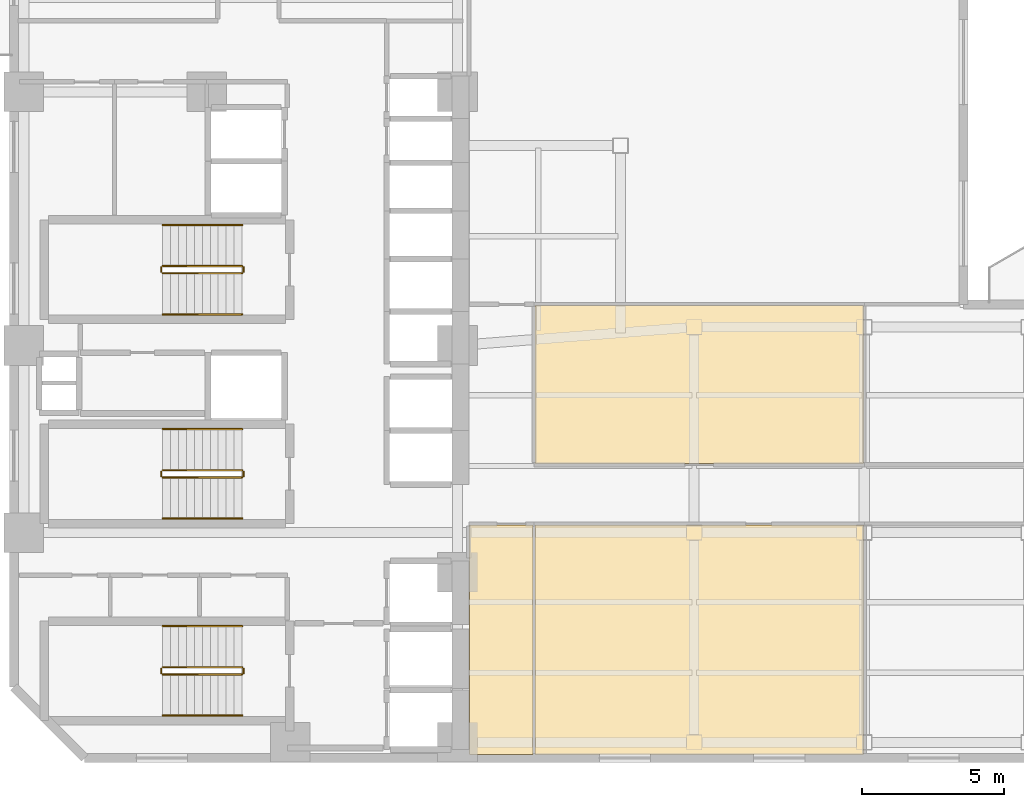
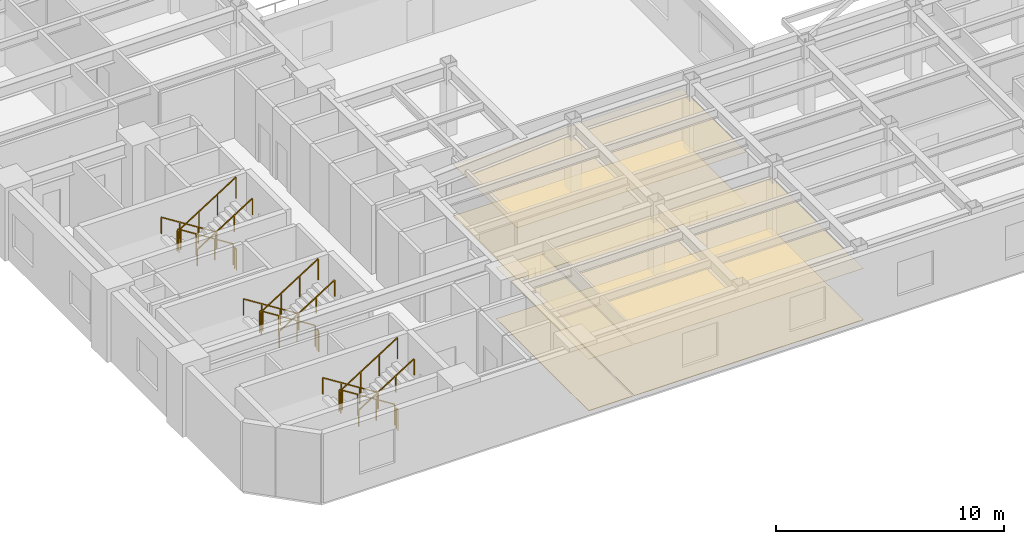
# One storey, part 8 of 10: 18 railings, 6 coverings.
"""IFC4 building model written with IfcOpenShell, lengths in metres."""

from ifc_helpers import new_model, si_unit, direction, frame, origin, origin_2d, place, context, subcontext, project, spatial, polyline, rectangle, outline, extrude, material, layer, layer_set, type_object, element, save


model = new_model("IFC4")

# Units and contexts
model_context = context("Model", 3, precision=1e-05, world=origin(), true_north=direction((0.0, 1.0)))
body_context = subcontext(model_context, "Body", "Model", "MODEL_VIEW")
ifc_project = project(units=[si_unit("LENGTHUNIT", "METRE"), si_unit("AREAUNIT", "SQUARE_METRE"), si_unit("VOLUMEUNIT", "CUBIC_METRE"), si_unit("PLANEANGLEUNIT", "RADIAN"), si_unit("MASSUNIT", "GRAM", prefix="KILO")], contexts=[model_context])

# Site, building, storey
site_placement = place(None, origin())
site = spatial("IfcSite", under=ifc_project, at=site_placement, CompositionType="ELEMENT")
building_placement = place(site_placement, origin())
building = spatial("IfcBuilding", under=site, at=building_placement, Name="Mawjaban Terraces University", CompositionType="ELEMENT")
storey_placement = place(building_placement, frame((0.0, 0.0, 31.0)))
storey = spatial("IfcBuildingStorey", under=building, at=storey_placement, Name="L06", CompositionType="ELEMENT", Elevation=31.0)

# Coverings
ifc_material_1 = material(Name="Acoustic mineral fibre ceiling tile", Category="masonry")
ifc_layer_1 = layer(ifc_material_1, 0.02001953125)
ifc_layer_set_1 = layer_set([ifc_layer_1], Name="Acoustic mineral fibre ceiling tile")
covering_type_1 = type_object("IfcCoveringType", Name="AcousticMineralCeiling_20", PredefinedType="CEILING", material=ifc_layer_set_1)
covering_1_placement = place(storey_placement, frame((0.0, 0.0, 2.75)))
element("IfcCovering", 1, at=covering_1_placement, inside=storey, type_object=covering_type_1, Name="L06 Classroom 1 Acoustic Ceiling", PredefinedType="CEILING", context=body_context, shape_type="SweptSolid", body=[
    extrude(outline(polyline([(38.080078125, 0.114990234375), (40.320068359375, 0.114990234375), (40.320068359375, 8.219970703125), (38.080078125, 8.219970703125), (38.080078125, 0.114990234375)])), origin(), (0.0, 0.0, 1.0), 0.02001953125),
])
covering_2_placement = place(storey_placement, frame((0.0, 0.0, 2.75)))
element("IfcCovering", 2, at=covering_2_placement, inside=storey, type_object=covering_type_1, Name="L06 Seminar Room 2 Acoustic Ceiling", PredefinedType="CEILING", context=body_context, shape_type="SweptSolid", body=[
    extrude(outline(polyline([(40.3798828125, 0.114990234375), (51.969970703125, 0.114990234375), (51.969970703125, 8.219970703125), (40.3798828125, 8.219970703125), (40.3798828125, 0.114990234375)])), origin(), (0.0, 0.0, 1.0), 0.02001953125),
])
covering_3_placement = place(storey_placement, frame((0.0, 0.0, 2.75)))
element("IfcCovering", 3, at=covering_3_placement, inside=storey, type_object=covering_type_1, Name="L06 Classroom 3 Acoustic Ceiling", PredefinedType="CEILING", context=body_context, shape_type="SweptSolid", body=[
    extrude(outline(polyline([(51.969970703125, 10.3798828125), (51.969970703125, 15.969970703125), (40.3798828125, 15.969970703125), (40.3798828125, 10.3798828125), (51.969970703125, 10.3798828125)])), origin(), (0.0, 0.0, 1.0), 0.02001953125),
])

# Railings
ifc_material_2 = material(Name="Brushed stainless steel 316", Category="steel")
railing_type_1 = type_object("IfcRailingType", Name="StairWallHandrail_900", PredefinedType="HANDRAIL", material=ifc_material_2)
railing_1_placement = place(storey_placement, frame((30.050048828125, 4.64990234375, 0.17724609375)))
element("IfcRailing", 4, at=railing_1_placement, inside=storey, type_object=railing_type_1, Name="L06 ST-1 stair handrail 1", PredefinedType="HANDRAIL", context=body_context, shape_type="SweptSolid", body=[
    extrude(rectangle(XDim=0.048095703125, YDim=0.048095703125, at=origin_2d()), frame((0.0, 0.0, 0.8759765625), z_axis=(-0.844908973607, 0.0, 0.534910110503), x_axis=(0.0, -1.0, 0.0)), (0.0, 0.0, 1.0), 3.31396484375),
    extrude(rectangle(XDim=0.0419921875, YDim=0.0419921875, at=origin_2d()), origin(), (0.0, 0.0, 1.0), 0.851806640625),
    extrude(rectangle(XDim=0.0419921875, YDim=0.0419921875, at=origin_2d()), frame((-0.933349609375, 0.0, 0.5908203125)), (0.0, 0.0, 1.0), 0.851806640625),
    extrude(rectangle(XDim=0.0419921875, YDim=0.0419921875, at=origin_2d()), frame((-1.86669921875, 0.0, 1.181884765625)), (0.0, 0.0, 1.0), 0.851806640625),
    extrude(rectangle(XDim=0.0419921875, YDim=0.0419921875, at=origin_2d()), frame((-2.800048828125, 0.0, 1.772705078125)), (0.0, 0.0, 1.0), 0.851806640625),
])
railing_2_placement = place(storey_placement, frame((27.25, 1.5, 2.127197265625)))
element("IfcRailing", 5, at=railing_2_placement, inside=storey, type_object=railing_type_1, Name="L06 ST-1 stair handrail 2", PredefinedType="HANDRAIL", context=body_context, shape_type="SweptSolid", body=[
    extrude(rectangle(XDim=0.048095703125, YDim=0.048095703125, at=origin_2d()), frame((0.0, 0.0, 0.8759765625), z_axis=(0.844908973607, 0.0, 0.534910110503), x_axis=(0.0, 1.0, 0.0)), (0.0, 0.0, 1.0), 3.31396484375),
    extrude(rectangle(XDim=0.0419921875, YDim=0.0419921875, at=origin_2d()), origin(), (0.0, 0.0, 1.0), 0.851806640625),
    extrude(rectangle(XDim=0.0419921875, YDim=0.0419921875, at=origin_2d()), frame((0.933349609375, 0.0, 0.5908203125)), (0.0, 0.0, 1.0), 0.851806640625),
    extrude(rectangle(XDim=0.0419921875, YDim=0.0419921875, at=origin_2d()), frame((1.86669921875, 0.0, 1.181884765625)), (0.0, 0.0, 1.0), 0.851806640625),
    extrude(rectangle(XDim=0.0419921875, YDim=0.0419921875, at=origin_2d()), frame((2.800048828125, 0.0, 1.772705078125)), (0.0, 0.0, 1.0), 0.851806640625),
])
railing_3_placement = place(storey_placement, frame((30.050048828125, 18.800048828125, 0.17724609375)))
element("IfcRailing", 6, at=railing_3_placement, inside=storey, type_object=railing_type_1, Name="L06 ST-2 stair handrail 1", PredefinedType="HANDRAIL", context=body_context, shape_type="SweptSolid", body=[
    extrude(rectangle(XDim=0.048095703125, YDim=0.048095703125, at=origin_2d()), frame((0.0, 0.0, 0.8759765625), z_axis=(-0.844908973607, 0.0, 0.534910110503), x_axis=(0.0, -1.0, 0.0)), (0.0, 0.0, 1.0), 3.31396484375),
    extrude(rectangle(XDim=0.0419921875, YDim=0.0419921875, at=origin_2d()), origin(), (0.0, 0.0, 1.0), 0.851806640625),
    extrude(rectangle(XDim=0.0419921875, YDim=0.0419921875, at=origin_2d()), frame((-0.933349609375, 0.0, 0.5908203125)), (0.0, 0.0, 1.0), 0.851806640625),
    extrude(rectangle(XDim=0.0419921875, YDim=0.0419921875, at=origin_2d()), frame((-1.86669921875, 0.0, 1.181884765625)), (0.0, 0.0, 1.0), 0.851806640625),
    extrude(rectangle(XDim=0.0419921875, YDim=0.0419921875, at=origin_2d()), frame((-2.800048828125, 0.0, 1.772705078125)), (0.0, 0.0, 1.0), 0.851806640625),
])
railing_4_placement = place(storey_placement, frame((27.25, 15.64990234375, 2.127197265625)))
element("IfcRailing", 7, at=railing_4_placement, inside=storey, type_object=railing_type_1, Name="L06 ST-2 stair handrail 2", PredefinedType="HANDRAIL", context=body_context, shape_type="SweptSolid", body=[
    extrude(rectangle(XDim=0.048095703125, YDim=0.048095703125, at=origin_2d()), frame((0.0, 0.0, 0.8759765625), z_axis=(0.844908973607, 0.0, 0.534910110503), x_axis=(0.0, 1.0, 0.0)), (0.0, 0.0, 1.0), 3.31396484375),
    extrude(rectangle(XDim=0.0419921875, YDim=0.0419921875, at=origin_2d()), origin(), (0.0, 0.0, 1.0), 0.851806640625),
    extrude(rectangle(XDim=0.0419921875, YDim=0.0419921875, at=origin_2d()), frame((0.933349609375, 0.0, 0.5908203125)), (0.0, 0.0, 1.0), 0.851806640625),
    extrude(rectangle(XDim=0.0419921875, YDim=0.0419921875, at=origin_2d()), frame((1.86669921875, 0.0, 1.181884765625)), (0.0, 0.0, 1.0), 0.851806640625),
    extrude(rectangle(XDim=0.0419921875, YDim=0.0419921875, at=origin_2d()), frame((2.800048828125, 0.0, 1.772705078125)), (0.0, 0.0, 1.0), 0.851806640625),
])
railing_5_placement = place(storey_placement, frame((30.050048828125, 11.60009765625, 0.17724609375)))
element("IfcRailing", 8, at=railing_5_placement, inside=storey, type_object=railing_type_1, Name="L06 ST-3 stair handrail 1", PredefinedType="HANDRAIL", context=body_context, shape_type="SweptSolid", body=[
    extrude(rectangle(XDim=0.048095703125, YDim=0.048095703125, at=origin_2d()), frame((0.0, 0.0, 0.8759765625), z_axis=(-0.844908973607, 0.0, 0.534910110503), x_axis=(0.0, -1.0, 0.0)), (0.0, 0.0, 1.0), 3.31396484375),
    extrude(rectangle(XDim=0.0419921875, YDim=0.0419921875, at=origin_2d()), origin(), (0.0, 0.0, 1.0), 0.851806640625),
    extrude(rectangle(XDim=0.0419921875, YDim=0.0419921875, at=origin_2d()), frame((-0.933349609375, 0.0, 0.5908203125)), (0.0, 0.0, 1.0), 0.851806640625),
    extrude(rectangle(XDim=0.0419921875, YDim=0.0419921875, at=origin_2d()), frame((-1.86669921875, 0.0, 1.181884765625)), (0.0, 0.0, 1.0), 0.851806640625),
    extrude(rectangle(XDim=0.0419921875, YDim=0.0419921875, at=origin_2d()), frame((-2.800048828125, 0.0, 1.772705078125)), (0.0, 0.0, 1.0), 0.851806640625),
])
railing_6_placement = place(storey_placement, frame((27.25, 8.449951171875, 2.127197265625)))
element("IfcRailing", 9, at=railing_6_placement, inside=storey, type_object=railing_type_1, Name="L06 ST-3 stair handrail 2", PredefinedType="HANDRAIL", context=body_context, shape_type="SweptSolid", body=[
    extrude(rectangle(XDim=0.048095703125, YDim=0.048095703125, at=origin_2d()), frame((0.0, 0.0, 0.8759765625), z_axis=(0.844908973607, 0.0, 0.534910110503), x_axis=(0.0, 1.0, 0.0)), (0.0, 0.0, 1.0), 3.31396484375),
    extrude(rectangle(XDim=0.0419921875, YDim=0.0419921875, at=origin_2d()), origin(), (0.0, 0.0, 1.0), 0.851806640625),
    extrude(rectangle(XDim=0.0419921875, YDim=0.0419921875, at=origin_2d()), frame((0.933349609375, 0.0, 0.5908203125)), (0.0, 0.0, 1.0), 0.851806640625),
    extrude(rectangle(XDim=0.0419921875, YDim=0.0419921875, at=origin_2d()), frame((1.86669921875, 0.0, 1.181884765625)), (0.0, 0.0, 1.0), 0.851806640625),
    extrude(rectangle(XDim=0.0419921875, YDim=0.0419921875, at=origin_2d()), frame((2.800048828125, 0.0, 1.772705078125)), (0.0, 0.0, 1.0), 0.851806640625),
])
ifc_material_3 = material(Name="Galvanised painted steel S355", Category="steel")
railing_type_2 = type_object("IfcRailingType", Name="StairWellGuard_1150", PredefinedType="BALUSTRADE", material=ifc_material_3)
railing_7_placement = place(storey_placement, frame((30.050048828125, 3.199951171875, 0.17724609375)))
element("IfcRailing", 10, at=railing_7_placement, inside=storey, type_object=railing_type_2, Name="L06 ST-1 stair guard 1", PredefinedType="BALUSTRADE", context=body_context, shape_type="SweptSolid", body=[
    extrude(rectangle(XDim=0.048095703125, YDim=0.048095703125, at=origin_2d()), frame((0.0, 0.0, 1.1259765625), z_axis=(-0.844908973607, 0.0, 0.534910110503), x_axis=(0.0, -1.0, 0.0)), (0.0, 0.0, 1.0), 3.31396484375),
    extrude(rectangle(XDim=0.0419921875, YDim=0.0419921875, at=origin_2d()), origin(), (0.0, 0.0, 1.0), 1.101806640625),
    extrude(rectangle(XDim=0.0419921875, YDim=0.0419921875, at=origin_2d()), frame((-0.933349609375, 0.0, 0.5908203125)), (0.0, 0.0, 1.0), 1.101806640625),
    extrude(rectangle(XDim=0.0419921875, YDim=0.0419921875, at=origin_2d()), frame((-1.86669921875, 0.0, 1.181884765625)), (0.0, 0.0, 1.0), 1.101806640625),
    extrude(rectangle(XDim=0.0419921875, YDim=0.0419921875, at=origin_2d()), frame((-2.800048828125, 0.0, 1.772705078125)), (0.0, 0.0, 1.0), 1.101806640625),
])
railing_8_placement = place(storey_placement, frame((27.199951171875, 3.14990234375, 1.949951171875)))
element("IfcRailing", 11, at=railing_8_placement, inside=storey, type_object=railing_type_2, Name="L06 ST-1 stair guard 2", PredefinedType="BALUSTRADE", context=body_context, shape_type="SweptSolid", body=[
    extrude(rectangle(XDim=0.048095703125, YDim=0.048095703125, at=origin_2d()), frame((0.0, 0.0, 1.1259765625), z_axis=(0.0, -1.0, 0.0), x_axis=(1.0, 0.0, 0.0)), (0.0, 0.0, 1.0), 0.14990234375),
    extrude(rectangle(XDim=0.0419921875, YDim=0.0419921875, at=origin_2d()), origin(), (0.0, 0.0, 1.0), 1.101806640625),
    extrude(rectangle(XDim=0.0419921875, YDim=0.0419921875, at=origin_2d()), frame((0.0, -0.14990234375, 0.0)), (0.0, 0.0, 1.0), 1.101806640625),
])
railing_9_placement = place(storey_placement, frame((27.25, 2.949951171875, 2.127197265625)))
element("IfcRailing", 12, at=railing_9_placement, inside=storey, type_object=railing_type_2, Name="L06 ST-1 stair guard 3", PredefinedType="BALUSTRADE", context=body_context, shape_type="SweptSolid", body=[
    extrude(rectangle(XDim=0.048095703125, YDim=0.048095703125, at=origin_2d()), frame((0.0, 0.0, 1.1259765625), z_axis=(0.844908973607, 0.0, 0.534910110503), x_axis=(0.0, 1.0, 0.0)), (0.0, 0.0, 1.0), 3.31396484375),
    extrude(rectangle(XDim=0.0419921875, YDim=0.0419921875, at=origin_2d()), origin(), (0.0, 0.0, 1.0), 1.101806640625),
    extrude(rectangle(XDim=0.0419921875, YDim=0.0419921875, at=origin_2d()), frame((0.933349609375, 0.0, 0.5908203125)), (0.0, 0.0, 1.0), 1.101806640625),
    extrude(rectangle(XDim=0.0419921875, YDim=0.0419921875, at=origin_2d()), frame((1.86669921875, 0.0, 1.181884765625)), (0.0, 0.0, 1.0), 1.101806640625),
    extrude(rectangle(XDim=0.0419921875, YDim=0.0419921875, at=origin_2d()), frame((2.800048828125, 0.0, 1.772705078125)), (0.0, 0.0, 1.0), 1.101806640625),
])
railing_10_placement = place(storey_placement, frame((30.10009765625, 3.14990234375, 0.0)))
element("IfcRailing", 13, at=railing_10_placement, inside=storey, type_object=railing_type_2, Name="L06 ST-1 stair guard 4", PredefinedType="BALUSTRADE", context=body_context, shape_type="SweptSolid", body=[
    extrude(rectangle(XDim=0.048095703125, YDim=0.048095703125, at=origin_2d()), frame((0.0, 0.0, 1.1259765625), z_axis=(0.0, -1.0, 0.0), x_axis=(1.0, 0.0, 0.0)), (0.0, 0.0, 1.0), 0.14990234375),
    extrude(rectangle(XDim=0.0419921875, YDim=0.0419921875, at=origin_2d()), origin(), (0.0, 0.0, 1.0), 1.101806640625),
    extrude(rectangle(XDim=0.0419921875, YDim=0.0419921875, at=origin_2d()), frame((0.0, -0.14990234375, 0.0)), (0.0, 0.0, 1.0), 1.101806640625),
])
railing_11_placement = place(storey_placement, frame((30.050048828125, 17.35009765625, 0.17724609375)))
element("IfcRailing", 14, at=railing_11_placement, inside=storey, type_object=railing_type_2, Name="L06 ST-2 stair guard 1", PredefinedType="BALUSTRADE", context=body_context, shape_type="SweptSolid", body=[
    extrude(rectangle(XDim=0.048095703125, YDim=0.048095703125, at=origin_2d()), frame((0.0, 0.0, 1.1259765625), z_axis=(-0.844908973607, 0.0, 0.534910110503), x_axis=(0.0, -1.0, 0.0)), (0.0, 0.0, 1.0), 3.31396484375),
    extrude(rectangle(XDim=0.0419921875, YDim=0.0419921875, at=origin_2d()), origin(), (0.0, 0.0, 1.0), 1.101806640625),
    extrude(rectangle(XDim=0.0419921875, YDim=0.0419921875, at=origin_2d()), frame((-0.933349609375, 0.0, 0.5908203125)), (0.0, 0.0, 1.0), 1.101806640625),
    extrude(rectangle(XDim=0.0419921875, YDim=0.0419921875, at=origin_2d()), frame((-1.86669921875, 0.0, 1.181884765625)), (0.0, 0.0, 1.0), 1.101806640625),
    extrude(rectangle(XDim=0.0419921875, YDim=0.0419921875, at=origin_2d()), frame((-2.800048828125, 0.0, 1.772705078125)), (0.0, 0.0, 1.0), 1.101806640625),
])
railing_12_placement = place(storey_placement, frame((27.199951171875, 17.300048828125, 1.949951171875)))
element("IfcRailing", 15, at=railing_12_placement, inside=storey, type_object=railing_type_2, Name="L06 ST-2 stair guard 2", PredefinedType="BALUSTRADE", context=body_context, shape_type="SweptSolid", body=[
    extrude(rectangle(XDim=0.048095703125, YDim=0.048095703125, at=origin_2d()), frame((0.0, 0.0, 1.1259765625), z_axis=(0.0, -1.0, 0.0), x_axis=(1.0, 0.0, 0.0)), (0.0, 0.0, 1.0), 0.150146484375),
    extrude(rectangle(XDim=0.0419921875, YDim=0.0419921875, at=origin_2d()), origin(), (0.0, 0.0, 1.0), 1.101806640625),
    extrude(rectangle(XDim=0.0419921875, YDim=0.0419921875, at=origin_2d()), frame((0.0, -0.150146484375, 0.0)), (0.0, 0.0, 1.0), 1.101806640625),
])
railing_13_placement = place(storey_placement, frame((27.25, 17.10009765625, 2.127197265625)))
element("IfcRailing", 16, at=railing_13_placement, inside=storey, type_object=railing_type_2, Name="L06 ST-2 stair guard 3", PredefinedType="BALUSTRADE", context=body_context, shape_type="SweptSolid", body=[
    extrude(rectangle(XDim=0.048095703125, YDim=0.048095703125, at=origin_2d()), frame((0.0, 0.0, 1.1259765625), z_axis=(0.844908973607, 0.0, 0.534910110503), x_axis=(0.0, 1.0, 0.0)), (0.0, 0.0, 1.0), 3.31396484375),
    extrude(rectangle(XDim=0.0419921875, YDim=0.0419921875, at=origin_2d()), origin(), (0.0, 0.0, 1.0), 1.101806640625),
    extrude(rectangle(XDim=0.0419921875, YDim=0.0419921875, at=origin_2d()), frame((0.933349609375, 0.0, 0.5908203125)), (0.0, 0.0, 1.0), 1.101806640625),
    extrude(rectangle(XDim=0.0419921875, YDim=0.0419921875, at=origin_2d()), frame((1.86669921875, 0.0, 1.181884765625)), (0.0, 0.0, 1.0), 1.101806640625),
    extrude(rectangle(XDim=0.0419921875, YDim=0.0419921875, at=origin_2d()), frame((2.800048828125, 0.0, 1.772705078125)), (0.0, 0.0, 1.0), 1.101806640625),
])
railing_14_placement = place(storey_placement, frame((30.10009765625, 17.300048828125, 0.0)))
element("IfcRailing", 17, at=railing_14_placement, inside=storey, type_object=railing_type_2, Name="L06 ST-2 stair guard 4", PredefinedType="BALUSTRADE", context=body_context, shape_type="SweptSolid", body=[
    extrude(rectangle(XDim=0.048095703125, YDim=0.048095703125, at=origin_2d()), frame((0.0, 0.0, 1.1259765625), z_axis=(0.0, -1.0, 0.0), x_axis=(1.0, 0.0, 0.0)), (0.0, 0.0, 1.0), 0.150146484375),
    extrude(rectangle(XDim=0.0419921875, YDim=0.0419921875, at=origin_2d()), origin(), (0.0, 0.0, 1.0), 1.101806640625),
    extrude(rectangle(XDim=0.0419921875, YDim=0.0419921875, at=origin_2d()), frame((0.0, -0.150146484375, 0.0)), (0.0, 0.0, 1.0), 1.101806640625),
])
railing_15_placement = place(storey_placement, frame((30.050048828125, 10.14990234375, 0.17724609375)))
element("IfcRailing", 18, at=railing_15_placement, inside=storey, type_object=railing_type_2, Name="L06 ST-3 stair guard 1", PredefinedType="BALUSTRADE", context=body_context, shape_type="SweptSolid", body=[
    extrude(rectangle(XDim=0.048095703125, YDim=0.048095703125, at=origin_2d()), frame((0.0, 0.0, 1.1259765625), z_axis=(-0.844908973607, 0.0, 0.534910110503), x_axis=(0.0, -1.0, 0.0)), (0.0, 0.0, 1.0), 3.31396484375),
    extrude(rectangle(XDim=0.0419921875, YDim=0.0419921875, at=origin_2d()), origin(), (0.0, 0.0, 1.0), 1.101806640625),
    extrude(rectangle(XDim=0.0419921875, YDim=0.0419921875, at=origin_2d()), frame((-0.933349609375, 0.0, 0.5908203125)), (0.0, 0.0, 1.0), 1.101806640625),
    extrude(rectangle(XDim=0.0419921875, YDim=0.0419921875, at=origin_2d()), frame((-1.86669921875, 0.0, 1.181884765625)), (0.0, 0.0, 1.0), 1.101806640625),
    extrude(rectangle(XDim=0.0419921875, YDim=0.0419921875, at=origin_2d()), frame((-2.800048828125, 0.0, 1.772705078125)), (0.0, 0.0, 1.0), 1.101806640625),
])
railing_16_placement = place(storey_placement, frame((27.199951171875, 10.10009765625, 1.949951171875)))
element("IfcRailing", 19, at=railing_16_placement, inside=storey, type_object=railing_type_2, Name="L06 ST-3 stair guard 2", PredefinedType="BALUSTRADE", context=body_context, shape_type="SweptSolid", body=[
    extrude(rectangle(XDim=0.048095703125, YDim=0.048095703125, at=origin_2d()), frame((0.0, 0.0, 1.1259765625), z_axis=(0.0, -1.0, 0.0), x_axis=(1.0, 0.0, 0.0)), (0.0, 0.0, 1.0), 0.150146484375),
    extrude(rectangle(XDim=0.0419921875, YDim=0.0419921875, at=origin_2d()), origin(), (0.0, 0.0, 1.0), 1.101806640625),
    extrude(rectangle(XDim=0.0419921875, YDim=0.0419921875, at=origin_2d()), frame((0.0, -0.150146484375, 0.0)), (0.0, 0.0, 1.0), 1.101806640625),
])
railing_17_placement = place(storey_placement, frame((27.25, 9.89990234375, 2.127197265625)))
element("IfcRailing", 20, at=railing_17_placement, inside=storey, type_object=railing_type_2, Name="L06 ST-3 stair guard 3", PredefinedType="BALUSTRADE", context=body_context, shape_type="SweptSolid", body=[
    extrude(rectangle(XDim=0.048095703125, YDim=0.048095703125, at=origin_2d()), frame((0.0, 0.0, 1.1259765625), z_axis=(0.844908973607, 0.0, 0.534910110503), x_axis=(0.0, 1.0, 0.0)), (0.0, 0.0, 1.0), 3.31396484375),
    extrude(rectangle(XDim=0.0419921875, YDim=0.0419921875, at=origin_2d()), origin(), (0.0, 0.0, 1.0), 1.101806640625),
    extrude(rectangle(XDim=0.0419921875, YDim=0.0419921875, at=origin_2d()), frame((0.933349609375, 0.0, 0.5908203125)), (0.0, 0.0, 1.0), 1.101806640625),
    extrude(rectangle(XDim=0.0419921875, YDim=0.0419921875, at=origin_2d()), frame((1.86669921875, 0.0, 1.181884765625)), (0.0, 0.0, 1.0), 1.101806640625),
    extrude(rectangle(XDim=0.0419921875, YDim=0.0419921875, at=origin_2d()), frame((2.800048828125, 0.0, 1.772705078125)), (0.0, 0.0, 1.0), 1.101806640625),
])
railing_18_placement = place(storey_placement, frame((30.10009765625, 10.10009765625, 0.0)))
element("IfcRailing", 21, at=railing_18_placement, inside=storey, type_object=railing_type_2, Name="L06 ST-3 stair guard 4", PredefinedType="BALUSTRADE", context=body_context, shape_type="SweptSolid", body=[
    extrude(rectangle(XDim=0.048095703125, YDim=0.048095703125, at=origin_2d()), frame((0.0, 0.0, 1.1259765625), z_axis=(0.0, -1.0, 0.0), x_axis=(1.0, 0.0, 0.0)), (0.0, 0.0, 1.0), 0.150146484375),
    extrude(rectangle(XDim=0.0419921875, YDim=0.0419921875, at=origin_2d()), origin(), (0.0, 0.0, 1.0), 1.101806640625),
    extrude(rectangle(XDim=0.0419921875, YDim=0.0419921875, at=origin_2d()), frame((0.0, -0.150146484375, 0.0)), (0.0, 0.0, 1.0), 1.101806640625),
])

# Coverings
ifc_material_4 = material(Name="Polished Hijazi granite terrazzo flooring", Category="masonry")
ifc_layer_2 = layer(ifc_material_4, 0.02490234375)
ifc_layer_set_2 = layer_set([ifc_layer_2], Name="Polished Hijazi granite terrazzo flooring")
covering_type_2 = type_object("IfcCoveringType", Name="TerrazzoConcourseFlooring_25", PredefinedType="FLOORING", material=ifc_layer_set_2)
covering_4_placement = place(storey_placement, origin())
element("IfcCovering", 22, at=covering_4_placement, inside=storey, type_object=covering_type_2, Name="L06 Classroom 1 Terrazzo Flooring", PredefinedType="FLOORING", context=body_context, shape_type="SweptSolid", body=[
    extrude(outline(polyline([(38.080078125, 0.114990234375), (40.320068359375, 0.114990234375), (40.320068359375, 8.219970703125), (38.080078125, 8.219970703125), (38.080078125, 0.114990234375)])), origin(), (0.0, 0.0, 1.0), 0.02490234375),
])
covering_5_placement = place(storey_placement, origin())
element("IfcCovering", 23, at=covering_5_placement, inside=storey, type_object=covering_type_2, Name="L06 Seminar Room 2 Terrazzo Flooring", PredefinedType="FLOORING", context=body_context, shape_type="SweptSolid", body=[
    extrude(outline(polyline([(40.3798828125, 0.114990234375), (51.969970703125, 0.114990234375), (51.969970703125, 8.219970703125), (40.3798828125, 8.219970703125), (40.3798828125, 0.114990234375)])), origin(), (0.0, 0.0, 1.0), 0.02490234375),
])
covering_6_placement = place(storey_placement, origin())
element("IfcCovering", 24, at=covering_6_placement, inside=storey, type_object=covering_type_2, Name="L06 Classroom 3 Terrazzo Flooring", PredefinedType="FLOORING", context=body_context, shape_type="SweptSolid", body=[
    extrude(outline(polyline([(51.969970703125, 10.3798828125), (51.969970703125, 15.969970703125), (40.3798828125, 15.969970703125), (40.3798828125, 10.3798828125), (51.969970703125, 10.3798828125)])), origin(), (0.0, 0.0, 1.0), 0.02490234375),
])

save(model, "model.ifc")
